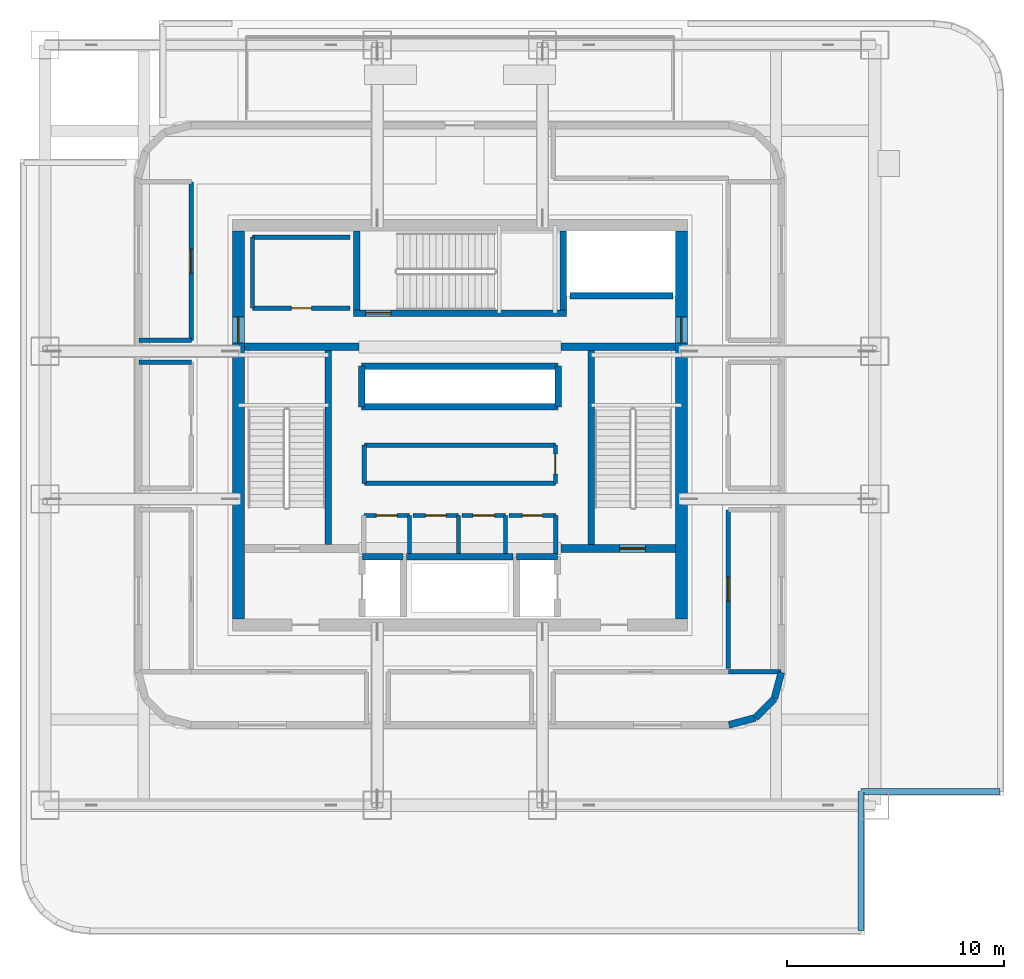
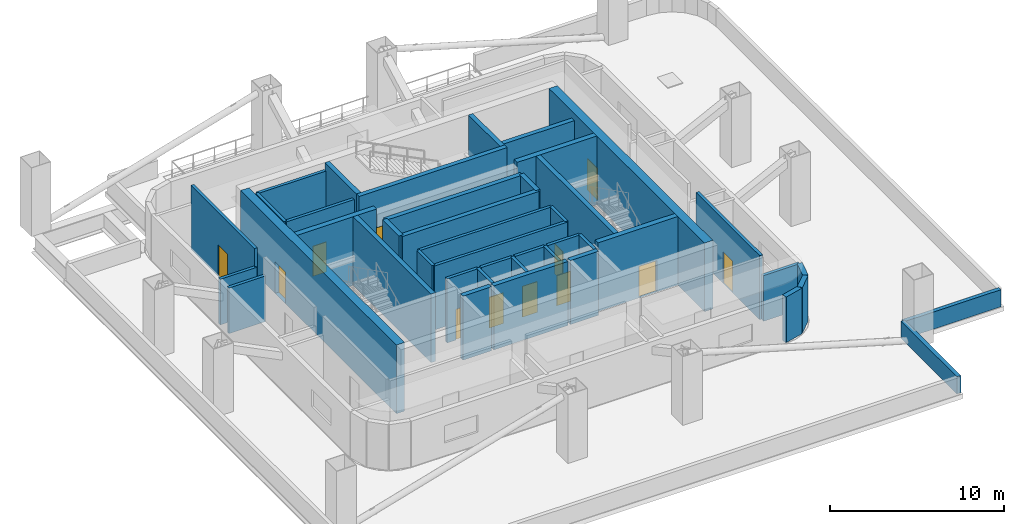
# One storey, part 6 of 11: 43 walls, 12 doors, 12 openings.
"""IFC4 building model written with IfcOpenShell, lengths in metres."""

from ifc_helpers import new_model, si_unit, direction, frame, frame_2d, origin, place, context, subcontext, project, spatial, rectangle, extrude, material, layer, layer_set, type_object, element, fill, save


model = new_model("IFC4")

# Units and contexts
model_context = context("Model", 3, precision=1e-05, world=origin(), true_north=direction((0.0, 1.0)))
body_context = subcontext(model_context, "Body", "Model", "MODEL_VIEW")
ifc_project = project(units=[si_unit("LENGTHUNIT", "METRE"), si_unit("AREAUNIT", "SQUARE_METRE"), si_unit("VOLUMEUNIT", "CUBIC_METRE"), si_unit("PLANEANGLEUNIT", "RADIAN"), si_unit("MASSUNIT", "GRAM", prefix="KILO")], contexts=[model_context])

# Site, building, storey
site_placement = place(None, origin())
site = spatial("IfcSite", under=ifc_project, at=site_placement, CompositionType="ELEMENT")
building_placement = place(site_placement, origin())
building = spatial("IfcBuilding", under=site, at=building_placement, Name="Punatoya Terracotta Tower", CompositionType="ELEMENT")
storey_placement = place(building_placement, frame((0.0, 0.0, 237.0)))
storey = spatial("IfcBuildingStorey", under=building, at=storey_placement, Name="L56", CompositionType="ELEMENT", Elevation=237.0)

# Wall, opening, door
ifc_material_1 = material(Name="Concrete C50/60", Category="concrete")
ifc_layer_1 = layer(ifc_material_1, 0.550048828125)
ifc_layer_set_1 = layer_set([ifc_layer_1], Name="Concrete C50/60")
wall_type_1 = type_object("IfcWallType", Name="WL-COR-550", PredefinedType="SHEAR", material=ifc_layer_set_1)
wall_1_placement = place(storey_placement, frame((-10.199951171875, -8.925048828125, 0.0), z_axis=(0.0, 0.0, 1.0), x_axis=(0.0, 1.0, 0.0)))
wall_1 = element("IfcWall", 1, at=wall_1_placement, inside=storey, type_object=wall_type_1, Name="L56 Core Shear Wall W", PredefinedType="SHEAR", context=body_context, shape_type="SweptSolid", body=[
    extrude(rectangle(XDim=17.85009765625, YDim=0.550048828125, at=frame_2d((8.925048828125, 0.0))), origin(), (0.0, 0.0, 1.0), 4.800048828125),
])
opening_1_placement = place(wall_1_placement, frame((12.715087890625, 0.0, 0.0)))
opening_1 = element("IfcOpeningElement", 2, at=opening_1_placement, cuts=wall_1, Name="Opening SD-01", PredefinedType="OPENING", context=body_context, shape_type="SweptSolid", body=[
    extrude(rectangle(XDim=1.179931640625, YDim=2.199951171875, at=frame_2d((0.58984375, 1.10009765625))), frame((0.0, 0.284912109375, 0.0), z_axis=(0.0, -1.0, 0.0), x_axis=(1.0, 0.0, 0.0)), (0.0, 0.0, 1.0), 0.570068359375),
])
ifc_material_2 = material(Name="Galvanised Steel Pressurized Stair Fire Door", Category="steel")
door_type_1 = type_object("IfcDoorType", Name="DR-STR-1180", OperationType="NOTDEFINED", PredefinedType="DOOR", material=ifc_material_2)
door_1_placement = place(opening_1_placement, origin())
door_1 = element("IfcDoor", 3, at=door_1_placement, inside=storey, type_object=door_type_1, Name="L56 Central Lift Lobby West Fire Door", OperationType="SINGLE_SWING_LEFT", OverallHeight=2.199951171875, OverallWidth=1.179931640625, PredefinedType="DOOR", context=body_context, shape_type="SweptSolid", body=[
    extrude(rectangle(XDim=1.179931640625, YDim=2.199951171875, at=frame_2d((0.58984375, 1.10009765625))), frame((0.0, 0.02490234375, 0.0), z_axis=(0.0, -1.0, 0.0), x_axis=(1.0, 0.0, 0.0)), (0.0, 0.0, 1.0), 0.050048828125),
])
fill(opening_1, door_1)

wall_2_placement = place(storey_placement, frame((10.199951171875, 8.925048828125, 0.0), z_axis=(0.0, 0.0, 1.0), x_axis=(0.0, -1.0, 0.0)))
wall_2 = element("IfcWall", 4, at=wall_2_placement, inside=storey, type_object=wall_type_1, Name="L56 Core Shear Wall E", PredefinedType="SHEAR", context=body_context, shape_type="SweptSolid", body=[
    extrude(rectangle(XDim=17.85009765625, YDim=0.550048828125, at=frame_2d((8.925048828125, 0.0))), origin(), (0.0, 0.0, 1.0), 4.800048828125),
])
opening_2_placement = place(wall_2_placement, frame((3.955078125, 0.0, 0.0)))
opening_2 = element("IfcOpeningElement", 5, at=opening_2_placement, cuts=wall_2, Name="Opening SD-01", PredefinedType="OPENING", context=body_context, shape_type="SweptSolid", body=[
    extrude(rectangle(XDim=1.179931640625, YDim=2.199951171875, at=frame_2d((0.58984375, 1.10009765625))), frame((0.0, 0.284912109375, 0.0), z_axis=(0.0, -1.0, 0.0), x_axis=(1.0, 0.0, 0.0)), (0.0, 0.0, 1.0), 0.570068359375),
])
door_2_placement = place(opening_2_placement, origin())
door_2 = element("IfcDoor", 6, at=door_2_placement, inside=storey, type_object=door_type_1, Name="L56 Central Lift Lobby East Fire Door", OperationType="SINGLE_SWING_RIGHT", OverallHeight=2.199951171875, OverallWidth=1.179931640625, PredefinedType="DOOR", context=body_context, shape_type="SweptSolid", body=[
    extrude(rectangle(XDim=1.179931640625, YDim=2.199951171875, at=frame_2d((0.58984375, 1.10009765625))), frame((0.0, 0.02490234375, 0.0), z_axis=(0.0, -1.0, 0.0), x_axis=(1.0, 0.0, 0.0)), (0.0, 0.0, 1.0), 0.050048828125),
])
fill(opening_2, door_2)

# Walls
ifc_material_3 = material(Name="Precast concrete C40/50", Category="concrete")
ifc_layer_2 = layer(ifc_material_3, 0.320068359375)
ifc_layer_set_2 = layer_set([ifc_layer_2], Name="Precast concrete C40/50")
wall_type_2 = type_object("IfcWallType", Name="WL-EXT-320", PredefinedType="SOLIDWALL", material=ifc_layer_set_2)
wall_3_placement = place(storey_placement, frame((12.386962890625, -13.800048828125, 0.0), z_axis=(0.0, 0.0, 1.0), x_axis=(0.966283375382, 0.25748094776, 0.0)))
element("IfcWall", 7, at=wall_3_placement, inside=storey, type_object=wall_type_2, Name="L56 Rounded Terracotta Corner Pier 02", PredefinedType="SOLIDWALL", context=body_context, shape_type="SweptSolid", body=[
    extrude(rectangle(XDim=1.25439453125, YDim=0.320068359375, at=frame_2d((0.627197265625, 0.0))), origin(), (0.0, 0.0, 1.0), 3.194091796875),
])
wall_4_placement = place(storey_placement, frame((13.59912109375, -13.47705078125, 0.0), z_axis=(0.0, 0.0, 1.0), x_axis=(0.707106781187, 0.707106781187, 0.0)))
element("IfcWall", 8, at=wall_4_placement, inside=storey, type_object=wall_type_2, Name="L56 Rounded Terracotta Corner Pier 03", PredefinedType="SOLIDWALL", context=body_context, shape_type="SweptSolid", body=[
    extrude(rectangle(XDim=1.24169921875, YDim=0.320068359375, at=frame_2d((0.620849609375, 0.0))), origin(), (0.0, 0.0, 1.0), 3.194091796875),
])
wall_5_placement = place(storey_placement, frame((14.47705078125, -12.59912109375, 0.0), z_axis=(0.0, 0.0, 1.0), x_axis=(0.25748094776, 0.966283375382, 0.0)))
element("IfcWall", 9, at=wall_5_placement, inside=storey, type_object=wall_type_2, Name="L56 Rounded Terracotta Corner Pier 04", PredefinedType="SOLIDWALL", context=body_context, shape_type="SweptSolid", body=[
    extrude(rectangle(XDim=1.25439453125, YDim=0.320068359375, at=frame_2d((0.627197265625, 0.0))), origin(), (0.0, 0.0, 1.0), 3.194091796875),
])
ifc_material_4 = material(Name="Concrete C40/50", Category="concrete")
ifc_layer_3 = layer(ifc_material_4, 0.199951171875)
ifc_layer_set_3 = layer_set([ifc_layer_3], Name="Concrete C40/50")
wall_type_3 = type_object("IfcWallType", Name="WL-INT-200", PredefinedType="SOLIDWALL", material=ifc_layer_set_3)
wall_6_placement = place(storey_placement, frame((-2.320068359375, -5.89990234375, 0.0), z_axis=(0.0, 0.0, 1.0), x_axis=(0.0, 1.0, 0.0)))
element("IfcWall", 10, at=wall_6_placement, inside=storey, type_object=wall_type_3, Name="L56 Staff Male Washroom Partition 01", PredefinedType="SOLIDWALL", context=body_context, shape_type="SweptSolid", body=[
    extrude(rectangle(XDim=1.739990234375, YDim=0.199951171875, at=frame_2d((0.8701171875, 0.0))), origin(), (0.0, 0.0, 1.0), 4.47998046875),
])

# Wall, opening, door
wall_7_placement = place(storey_placement, frame((-2.320068359375, -4.159912109375, 0.0), z_axis=(0.0, 0.0, 1.0), x_axis=(-1.0, 0.0, 0.0)))
wall_7 = element("IfcWall", 11, at=wall_7_placement, inside=storey, type_object=wall_type_3, Name="L56 Staff Male Washroom Partition 02", PredefinedType="SOLIDWALL", context=body_context, shape_type="SweptSolid", body=[
    extrude(rectangle(XDim=2.099853515625, YDim=0.199951171875, at=frame_2d((1.0498046875, 0.0))), origin(), (0.0, 0.0, 1.0), 4.47998046875),
])
opening_3_placement = place(wall_7_placement, frame((0.574951171875, 0.0, 0.0)))
opening_3 = element("IfcOpeningElement", 12, at=opening_3_placement, cuts=wall_7, Name="Opening WD-01", PredefinedType="OPENING", context=body_context, shape_type="SweptSolid", body=[
    extrude(rectangle(XDim=0.949951171875, YDim=2.14990234375, at=frame_2d((0.47509765625, 1.074951171875))), frame((0.0, 0.10986328125, 0.0), z_axis=(0.0, -1.0, 0.0), x_axis=(1.0, 0.0, 0.0)), (0.0, 0.0, 1.0), 0.219970703125),
])
ifc_material_5 = material(Name="Moisture-Resistant Laminate Timber Leaf", Category="wood")
door_type_2 = type_object("IfcDoorType", Name="DR-WC-950", OperationType="NOTDEFINED", PredefinedType="DOOR", material=ifc_material_5)
door_3_placement = place(opening_3_placement, origin())
door_3 = element("IfcDoor", 13, at=door_3_placement, inside=storey, type_object=door_type_2, Name="L56 Staff Male Washroom Door", OperationType="SINGLE_SWING_LEFT", OverallHeight=2.14990234375, OverallWidth=0.949951171875, PredefinedType="DOOR", context=body_context, shape_type="SweptSolid", body=[
    extrude(rectangle(XDim=0.949951171875, YDim=2.14990234375, at=frame_2d((0.47509765625, 1.074951171875))), frame((0.0, 0.02490234375, 0.0), z_axis=(0.0, -1.0, 0.0), x_axis=(1.0, 0.0, 0.0)), (0.0, 0.0, 1.0), 0.050048828125),
])
fill(opening_3, door_3)

# Wall
wall_8_placement = place(storey_placement, frame((-0.06005859375, -5.89990234375, 0.0), z_axis=(0.0, 0.0, 1.0), x_axis=(0.0, 1.0, 0.0)))
element("IfcWall", 14, at=wall_8_placement, inside=storey, type_object=wall_type_3, Name="L56 Staff Female Washroom Partition 04", PredefinedType="SOLIDWALL", context=body_context, shape_type="SweptSolid", body=[
    extrude(rectangle(XDim=1.739990234375, YDim=0.199951171875, at=frame_2d((0.8701171875, 0.0))), origin(), (0.0, 0.0, 1.0), 4.47998046875),
])

# Wall, opening, door
wall_9_placement = place(storey_placement, frame((-0.06005859375, -4.159912109375, 0.0), z_axis=(0.0, 0.0, 1.0), x_axis=(-1.0, 0.0, 0.0)))
wall_9 = element("IfcWall", 15, at=wall_9_placement, inside=storey, type_object=wall_type_3, Name="L56 Staff Female Washroom Partition 05", PredefinedType="SOLIDWALL", context=body_context, shape_type="SweptSolid", body=[
    extrude(rectangle(XDim=2.099853515625, YDim=0.199951171875, at=frame_2d((1.0498046875, 0.0))), origin(), (0.0, 0.0, 1.0), 4.47998046875),
])
opening_4_placement = place(wall_9_placement, frame((0.574951171875, 0.0, 0.0)))
opening_4 = element("IfcOpeningElement", 16, at=opening_4_placement, cuts=wall_9, Name="Opening WD-01", PredefinedType="OPENING", context=body_context, shape_type="SweptSolid", body=[
    extrude(rectangle(XDim=0.949951171875, YDim=2.14990234375, at=frame_2d((0.47509765625, 1.074951171875))), frame((0.0, 0.10986328125, 0.0), z_axis=(0.0, -1.0, 0.0), x_axis=(1.0, 0.0, 0.0)), (0.0, 0.0, 1.0), 0.219970703125),
])
door_4_placement = place(opening_4_placement, origin())
door_4 = element("IfcDoor", 17, at=door_4_placement, inside=storey, type_object=door_type_2, Name="L56 Staff Female Washroom Door", OperationType="SINGLE_SWING_RIGHT", OverallHeight=2.14990234375, OverallWidth=0.949951171875, PredefinedType="DOOR", context=body_context, shape_type="SweptSolid", body=[
    extrude(rectangle(XDim=0.949951171875, YDim=2.14990234375, at=frame_2d((0.47509765625, 1.074951171875))), frame((0.0, 0.02490234375, 0.0), z_axis=(0.0, -1.0, 0.0), x_axis=(1.0, 0.0, 0.0)), (0.0, 0.0, 1.0), 0.050048828125),
])
fill(opening_4, door_4)

# Wall
wall_10_placement = place(storey_placement, frame((2.10009765625, -5.89990234375, 0.0), z_axis=(0.0, 0.0, 1.0), x_axis=(0.0, 1.0, 0.0)))
element("IfcWall", 18, at=wall_10_placement, inside=storey, type_object=wall_type_3, Name="L56 Accessible Universal Washroom Partition 06", PredefinedType="SOLIDWALL", context=body_context, shape_type="SweptSolid", body=[
    extrude(rectangle(XDim=1.739990234375, YDim=0.199951171875, at=frame_2d((0.8701171875, 0.0))), origin(), (0.0, 0.0, 1.0), 4.47998046875),
])

# Wall, opening, door
wall_11_placement = place(storey_placement, frame((2.10009765625, -4.159912109375, 0.0), z_axis=(0.0, 0.0, 1.0), x_axis=(-1.0, 0.0, 0.0)))
wall_11 = element("IfcWall", 19, at=wall_11_placement, inside=storey, type_object=wall_type_3, Name="L56 Accessible Universal Washroom Partition 07", PredefinedType="SOLIDWALL", context=body_context, shape_type="SweptSolid", body=[
    extrude(rectangle(XDim=2.0, YDim=0.199951171875, at=frame_2d((1.0, 0.0))), origin(), (0.0, 0.0, 1.0), 4.47998046875),
])
opening_5_placement = place(wall_11_placement, frame((0.5, 0.0, 0.0)))
opening_5 = element("IfcOpeningElement", 20, at=opening_5_placement, cuts=wall_11, Name="Opening AWD-1", PredefinedType="OPENING", context=body_context, shape_type="SweptSolid", body=[
    extrude(rectangle(XDim=1.0, YDim=2.14990234375, at=frame_2d((0.5, 1.074951171875))), frame((0.0, 0.10986328125, 0.0), z_axis=(0.0, -1.0, 0.0), x_axis=(1.0, 0.0, 0.0)), (0.0, 0.0, 1.0), 0.219970703125),
])
ifc_material_6 = material(Name="Bengal Teak Accessible WC Leaf")
door_type_3 = type_object("IfcDoorType", Name="DR-ACC-1000", OperationType="NOTDEFINED", PredefinedType="DOOR", material=ifc_material_6)
door_5_placement = place(opening_5_placement, origin())
door_5 = element("IfcDoor", 21, at=door_5_placement, inside=storey, type_object=door_type_3, Name="L56 Accessible Universal Washroom Door", OperationType="SINGLE_SWING_LEFT", OverallHeight=2.14990234375, OverallWidth=1.0, PredefinedType="DOOR", context=body_context, shape_type="SweptSolid", body=[
    extrude(rectangle(XDim=1.0, YDim=2.14990234375, at=frame_2d((0.5, 1.074951171875))), frame((0.0, 0.02490234375, 0.0), z_axis=(0.0, -1.0, 0.0), x_axis=(1.0, 0.0, 0.0)), (0.0, 0.0, 1.0), 0.050048828125),
])
fill(opening_5, door_5)

# Wall
wall_12_placement = place(storey_placement, frame((4.419921875, -5.89990234375, 0.0), z_axis=(0.0, 0.0, 1.0), x_axis=(0.0, 1.0, 0.0)))
element("IfcWall", 22, at=wall_12_placement, inside=storey, type_object=wall_type_3, Name="L56 Core Electrical Switchgear Room Partition 08", PredefinedType="SOLIDWALL", context=body_context, shape_type="SweptSolid", body=[
    extrude(rectangle(XDim=1.739990234375, YDim=0.199951171875, at=frame_2d((0.8701171875, 0.0))), origin(), (0.0, 0.0, 1.0), 4.47998046875),
])

# Wall, opening, door
wall_13_placement = place(storey_placement, frame((4.419921875, -4.159912109375, 0.0), z_axis=(0.0, 0.0, 1.0), x_axis=(-1.0, 0.0, 0.0)))
wall_13 = element("IfcWall", 23, at=wall_13_placement, inside=storey, type_object=wall_type_3, Name="L56 Core Electrical Switchgear Room Partition 09", PredefinedType="SOLIDWALL", context=body_context, shape_type="SweptSolid", body=[
    extrude(rectangle(XDim=2.159912109375, YDim=0.199951171875, at=frame_2d((1.080078125, 0.0))), origin(), (0.0, 0.0, 1.0), 4.47998046875),
])
opening_6_placement = place(wall_13_placement, frame((0.6201171875, 0.0, 0.0)))
opening_6 = element("IfcOpeningElement", 24, at=opening_6_placement, cuts=wall_13, Name="Opening FD-R1", PredefinedType="OPENING", context=body_context, shape_type="SweptSolid", body=[
    extrude(rectangle(XDim=0.919921875, YDim=2.10009765625, at=frame_2d((0.4599609375, 1.050048828125))), frame((0.0, 0.10986328125, 0.0), z_axis=(0.0, -1.0, 0.0), x_axis=(1.0, 0.0, 0.0)), (0.0, 0.0, 1.0), 0.219970703125),
])
ifc_material_7 = material(Name="Galvanised Steel Riser Fire Access Door", Category="steel")
door_type_4 = type_object("IfcDoorType", Name="DR-RSR-920", OperationType="NOTDEFINED", PredefinedType="DOOR", material=ifc_material_7)
door_6_placement = place(opening_6_placement, origin())
door_6 = element("IfcDoor", 25, at=door_6_placement, inside=storey, type_object=door_type_4, Name="L56 Core Electrical Switchgear Room Fire Door", OperationType="SINGLE_SWING_RIGHT", OverallHeight=2.10009765625, OverallWidth=0.919921875, PredefinedType="DOOR", context=body_context, shape_type="SweptSolid", body=[
    extrude(rectangle(XDim=0.919921875, YDim=2.10009765625, at=frame_2d((0.4599609375, 1.050048828125))), frame((0.0, 0.02490234375, 0.0), z_axis=(0.0, -1.0, 0.0), x_axis=(1.0, 0.0, 0.0)), (0.0, 0.0, 1.0), 0.050048828125),
])
fill(opening_6, door_6)

wall_14_placement = place(storey_placement, frame((4.39990234375, -2.679931640625, 0.0), z_axis=(0.0, 0.0, 1.0), x_axis=(0.0, 1.0, 0.0)))
wall_14 = element("IfcWall", 26, at=wall_14_placement, inside=storey, type_object=wall_type_3, Name="L56 Zone Mechanical Riser Plant Partition 10", PredefinedType="SOLIDWALL", context=body_context, shape_type="SweptSolid", body=[
    extrude(rectangle(XDim=1.760009765625, YDim=0.199951171875, at=frame_2d((0.8798828125, 0.0))), origin(), (0.0, 0.0, 1.0), 4.47998046875),
])
opening_7_placement = place(wall_14_placement, frame((0.419921875, 0.0, 0.0)))
opening_7 = element("IfcOpeningElement", 27, at=opening_7_placement, cuts=wall_14, Name="Opening FD-R1", PredefinedType="OPENING", context=body_context, shape_type="SweptSolid", body=[
    extrude(rectangle(XDim=0.919921875, YDim=2.10009765625, at=frame_2d((0.4599609375, 1.050048828125))), frame((0.0, 0.10986328125, 0.0), z_axis=(0.0, -1.0, 0.0), x_axis=(1.0, 0.0, 0.0)), (0.0, 0.0, 1.0), 0.219970703125),
])
door_7_placement = place(opening_7_placement, origin())
door_7 = element("IfcDoor", 28, at=door_7_placement, inside=storey, type_object=door_type_4, Name="L56 Zone Mechanical Riser Plant Fire Door", OperationType="SINGLE_SWING_LEFT", OverallHeight=2.10009765625, OverallWidth=0.919921875, PredefinedType="DOOR", context=body_context, shape_type="SweptSolid", body=[
    extrude(rectangle(XDim=0.919921875, YDim=2.10009765625, at=frame_2d((0.4599609375, 1.050048828125))), frame((0.0, 0.02490234375, 0.0), z_axis=(0.0, -1.0, 0.0), x_axis=(1.0, 0.0, 0.0)), (0.0, 0.0, 1.0), 0.050048828125),
])
fill(opening_7, door_7)

# Walls
wall_15_placement = place(storey_placement, frame((4.39990234375, -0.919921875, 0.0), z_axis=(0.0, 0.0, 1.0), x_axis=(-1.0, 0.0, 0.0)))
element("IfcWall", 29, at=wall_15_placement, inside=storey, type_object=wall_type_3, Name="L56 Zone Mechanical Riser Plant Partition 11", PredefinedType="SOLIDWALL", context=body_context, shape_type="SweptSolid", body=[
    extrude(rectangle(XDim=8.7998046875, YDim=0.199951171875, at=frame_2d((4.39990234375, 0.0))), origin(), (0.0, 0.0, 1.0), 4.47998046875),
])
wall_16_placement = place(storey_placement, frame((-4.39990234375, -0.919921875, 0.0), z_axis=(0.0, 0.0, 1.0), x_axis=(0.0, -1.0, 0.0)))
element("IfcWall", 30, at=wall_16_placement, inside=storey, type_object=wall_type_3, Name="L56 Zone Mechanical Riser Plant Partition 12", PredefinedType="SOLIDWALL", context=body_context, shape_type="SweptSolid", body=[
    extrude(rectangle(XDim=1.760009765625, YDim=0.199951171875, at=frame_2d((0.8798828125, 0.0))), origin(), (0.0, 0.0, 1.0), 4.47998046875),
])
wall_17_placement = place(storey_placement, frame((-4.39990234375, -2.679931640625, 0.0), z_axis=(0.0, 0.0, 1.0), x_axis=(1.0, 0.0, 0.0)))
element("IfcWall", 31, at=wall_17_placement, inside=storey, type_object=wall_type_3, Name="L56 Zone Mechanical Riser Plant Partition 13", PredefinedType="SOLIDWALL", context=body_context, shape_type="SweptSolid", body=[
    extrude(rectangle(XDim=8.7998046875, YDim=0.199951171875, at=frame_2d((4.39990234375, 0.0))), origin(), (0.0, 0.0, 1.0), 4.47998046875),
])
wall_18_placement = place(storey_placement, frame((-5.050048828125, 8.64990234375, 0.0), z_axis=(0.0, 0.0, 1.0), x_axis=(-1.0, 0.0, 0.0)))
element("IfcWall", 32, at=wall_18_placement, inside=storey, type_object=wall_type_3, Name="L56 West Duct Riser Partition 14", PredefinedType="SOLIDWALL", context=body_context, shape_type="SweptSolid", body=[
    extrude(rectangle(XDim=4.5, YDim=0.199951171875, at=frame_2d((2.25, 0.0))), origin(), (0.0, 0.0, 1.0), 4.47998046875),
])
wall_19_placement = place(storey_placement, frame((-9.550048828125, 8.64990234375, 0.0), z_axis=(0.0, 0.0, 1.0), x_axis=(0.0, -1.0, 0.0)))
element("IfcWall", 33, at=wall_19_placement, inside=storey, type_object=wall_type_3, Name="L56 West Duct Riser Partition 15", PredefinedType="SOLIDWALL", context=body_context, shape_type="SweptSolid", body=[
    extrude(rectangle(XDim=3.27001953125, YDim=0.199951171875, at=frame_2d((1.635009765625, 0.0))), origin(), (0.0, 0.0, 1.0), 4.47998046875),
])

# Wall, opening, door
wall_20_placement = place(storey_placement, frame((-9.550048828125, 5.3798828125, 0.0), z_axis=(0.0, 0.0, 1.0), x_axis=(1.0, 0.0, 0.0)))
wall_20 = element("IfcWall", 34, at=wall_20_placement, inside=storey, type_object=wall_type_3, Name="L56 West Duct Riser Partition 16", PredefinedType="SOLIDWALL", context=body_context, shape_type="SweptSolid", body=[
    extrude(rectangle(XDim=4.5, YDim=0.199951171875, at=frame_2d((2.25, 0.0))), origin(), (0.0, 0.0, 1.0), 4.47998046875),
])
opening_8_placement = place(wall_20_placement, frame((1.7900390625, 0.0, 0.0)))
opening_8 = element("IfcOpeningElement", 35, at=opening_8_placement, cuts=wall_20, Name="Opening FD-R1", PredefinedType="OPENING", context=body_context, shape_type="SweptSolid", body=[
    extrude(rectangle(XDim=0.919921875, YDim=2.10009765625, at=frame_2d((0.4599609375, 1.050048828125))), frame((0.0, 0.10986328125, 0.0), z_axis=(0.0, -1.0, 0.0), x_axis=(1.0, 0.0, 0.0)), (0.0, 0.0, 1.0), 0.219970703125),
])
door_8_placement = place(opening_8_placement, origin())
door_8 = element("IfcDoor", 36, at=door_8_placement, inside=storey, type_object=door_type_4, Name="L56 West Duct Riser Fire Door", OperationType="SINGLE_SWING_RIGHT", OverallHeight=2.10009765625, OverallWidth=0.919921875, PredefinedType="DOOR", context=body_context, shape_type="SweptSolid", body=[
    extrude(rectangle(XDim=0.919921875, YDim=2.10009765625, at=frame_2d((0.4599609375, 1.050048828125))), frame((0.0, 0.02490234375, 0.0), z_axis=(0.0, -1.0, 0.0), x_axis=(1.0, 0.0, 0.0)), (0.0, 0.0, 1.0), 0.050048828125),
])
fill(opening_8, door_8)

# Walls
for number, where, z_axis, x_axis, name in (
    (37, (12.360107421875, -11.35009765625, 0.0), (0.0, 0.0, 1.0), (1.0, 0.0, 0.0), "L56 Designated Pressurized Refuge Area South (East Bay) Partition 23"),
    (38, (-14.780029296875, 2.89990234375, 0.0), (0.0, 0.0, 1.0), (1.0, 0.0, 0.0), "L56 West Outrigger Truss & Smoke-Extract Plant Room (Central Bay) Partition 30"),
    (39, (-12.360107421875, 3.89990234375, 0.0), (0.0, 0.0, 1.0), (-1.0, 0.0, 0.0), "L56 West Outrigger Truss & Smoke-Extract Plant Room (North Bay) Partition 31"),
):
    element("IfcWall", number, at=place(storey_placement, frame(where, z_axis=z_axis, x_axis=x_axis)), inside=storey, type_object=wall_type_3, Name=name, PredefinedType="SOLIDWALL", context=body_context, shape_type="SweptSolid", body=[
        extrude(rectangle(XDim=2.419921875, YDim=0.199951171875, at=frame_2d((1.2099609375, 0.0))), origin(), (0.0, 0.0, 1.0), 3.194091796875),
    ])

# Wall, opening, door
wall_21_placement = place(storey_placement, frame((-12.360107421875, 11.199951171875, 0.0), z_axis=(0.0, 0.0, 1.0), x_axis=(0.0, -1.0, 0.0)))
wall_21 = element("IfcWall", 40, at=wall_21_placement, inside=storey, type_object=wall_type_3, Name="L56 West Outrigger Truss & Smoke-Extract Plant Room (North Bay) Partition 33", PredefinedType="SOLIDWALL", context=body_context, shape_type="SweptSolid", body=[
    extrude(rectangle(XDim=7.300048828125, YDim=0.199951171875, at=frame_2d((3.64990234375, 0.0))), origin(), (0.0, 0.0, 1.0), 4.47998046875),
])
opening_9_placement = place(wall_21_placement, frame((3.10009765625, 0.0, 0.0)))
opening_9 = element("IfcOpeningElement", 41, at=opening_9_placement, cuts=wall_21, Name="Opening FD-P1", PredefinedType="OPENING", context=body_context, shape_type="SweptSolid", body=[
    extrude(rectangle(XDim=1.10009765625, YDim=2.199951171875, at=frame_2d((0.550048828125, 1.10009765625))), frame((0.0, 0.10986328125, 0.0), z_axis=(0.0, -1.0, 0.0), x_axis=(1.0, 0.0, 0.0)), (0.0, 0.0, 1.0), 0.219970703125),
])
ifc_material_8 = material(Name="Galvanised Steel Plant Fire Door", Category="steel")
door_type_5 = type_object("IfcDoorType", Name="DR-PLT-1100", OperationType="NOTDEFINED", PredefinedType="DOOR", material=ifc_material_8)
door_9_placement = place(opening_9_placement, origin())
door_9 = element("IfcDoor", 42, at=door_9_placement, inside=storey, type_object=door_type_5, Name="L56 West Outrigger Truss & Smoke-Extract Plant Room (North Bay) Fire Door", OperationType="SINGLE_SWING_RIGHT", OverallHeight=2.199951171875, OverallWidth=1.10009765625, PredefinedType="DOOR", context=body_context, shape_type="SweptSolid", body=[
    extrude(rectangle(XDim=1.10009765625, YDim=2.199951171875, at=frame_2d((0.550048828125, 1.10009765625))), frame((0.0, 0.02490234375, 0.0), z_axis=(0.0, -1.0, 0.0), x_axis=(1.0, 0.0, 0.0)), (0.0, 0.0, 1.0), 0.050048828125),
])
fill(opening_9, door_9)

wall_22_placement = place(storey_placement, frame((12.360107421875, -11.199951171875, 0.0), z_axis=(0.0, 0.0, 1.0), x_axis=(0.0, 1.0, 0.0)))
wall_22 = element("IfcWall", 43, at=wall_22_placement, inside=storey, type_object=wall_type_3, Name="L56 East Outrigger Truss & Heat-Exchanger Plant Room (South Bay) Partition 35", PredefinedType="SOLIDWALL", context=body_context, shape_type="SweptSolid", body=[
    extrude(rectangle(XDim=7.300048828125, YDim=0.199951171875, at=frame_2d((3.64990234375, 0.0))), origin(), (0.0, 0.0, 1.0), 4.47998046875),
])
opening_10_placement = place(wall_22_placement, frame((3.10009765625, 0.0, 0.0)))
opening_10 = element("IfcOpeningElement", 44, at=opening_10_placement, cuts=wall_22, Name="Opening FD-P1", PredefinedType="OPENING", context=body_context, shape_type="SweptSolid", body=[
    extrude(rectangle(XDim=1.10009765625, YDim=2.199951171875, at=frame_2d((0.550048828125, 1.10009765625))), frame((0.0, 0.10986328125, 0.0), z_axis=(0.0, -1.0, 0.0), x_axis=(1.0, 0.0, 0.0)), (0.0, 0.0, 1.0), 0.219970703125),
])
door_10_placement = place(opening_10_placement, origin())
door_10 = element("IfcDoor", 45, at=door_10_placement, inside=storey, type_object=door_type_5, Name="L56 East Outrigger Truss & Heat-Exchanger Plant Room (South Bay) Fire Door", OperationType="SINGLE_SWING_LEFT", OverallHeight=2.199951171875, OverallWidth=1.10009765625, PredefinedType="DOOR", context=body_context, shape_type="SweptSolid", body=[
    extrude(rectangle(XDim=1.10009765625, YDim=2.199951171875, at=frame_2d((0.550048828125, 1.10009765625))), frame((0.0, 0.02490234375, 0.0), z_axis=(0.0, -1.0, 0.0), x_axis=(1.0, 0.0, 0.0)), (0.0, 0.0, 1.0), 0.050048828125),
])
fill(opening_10, door_10)

# Walls
ifc_layer_4 = layer(ifc_material_3, 0.260009765625)
ifc_layer_set_4 = layer_set([ifc_layer_4], Name="Precast concrete C40/50")
wall_type_4 = type_object("IfcWallType", Name="WL-PAR-260", PredefinedType="PARAPET", material=ifc_layer_set_4)
wall_23_placement = place(storey_placement, frame((18.469970703125, -23.27001953125, 0.0), z_axis=(0.0, 0.0, 1.0), x_axis=(0.0, 1.0, 0.0)))
element("IfcWall", 46, at=wall_23_placement, inside=storey, type_object=wall_type_4, Name="L56 Roof Parapet Wall PAR-L56-RF-01", PredefinedType="PARAPET", context=body_context, shape_type="SweptSolid", body=[
    extrude(rectangle(XDim=6.39990234375, YDim=0.260009765625, at=frame_2d((3.199951171875, 0.0))), origin(), (0.0, 0.0, 1.0), 1.199951171875),
])
wall_24_placement = place(storey_placement, frame((18.469970703125, -16.8701171875, 0.0), z_axis=(0.0, 0.0, 1.0), x_axis=(1.0, 0.0, 0.0)))
element("IfcWall", 47, at=wall_24_placement, inside=storey, type_object=wall_type_4, Name="L56 Roof Parapet Wall PAR-L56-RF-02", PredefinedType="PARAPET", context=body_context, shape_type="SweptSolid", body=[
    extrude(rectangle(XDim=6.400146484375, YDim=0.260009765625, at=frame_2d((3.2001953125, 0.0))), origin(), (0.0, 0.0, 1.0), 1.199951171875),
])
ifc_layer_5 = layer(ifc_material_4, 0.300048828125)
ifc_layer_set_5 = layer_set([ifc_layer_5], Name="Concrete C40/50")
wall_type_5 = type_object("IfcWallType", Name="WL-SHF-300", PredefinedType="SOLIDWALL", material=ifc_layer_set_5)
for number, where, z_axis, x_axis, name in (
    (48, (-6.050048828125, -5.5, 0.0), (0.0, 0.0, 1.0), (0.0, 1.0, 0.0), "L56 Structural Stair Shaft Wall SW-ST1-E"),
    (49, (6.050048828125, 3.449951171875, 0.0), (0.0, 0.0, 1.0), (0.0, -1.0, 0.0), "L56 Structural Stair Shaft Wall SW-ST2-W"),
):
    element("IfcWall", number, at=place(storey_placement, frame(where, z_axis=z_axis, x_axis=x_axis)), inside=storey, type_object=wall_type_5, Name=name, PredefinedType="SOLIDWALL", context=body_context, shape_type="SweptSolid", body=[
        extrude(rectangle(XDim=8.949951171875, YDim=0.300048828125, at=frame_2d((4.47509765625, 0.0))), origin(), (0.0, 0.0, 1.0), 4.800048828125),
    ])
for number, where, z_axis, x_axis, name in (
    (50, (-4.75, 5.300048828125, 0.0), (0.0, 0.0, 1.0), (0.0, 1.0, 0.0), "L56 Structural Stair Shaft Wall SW-ST3-W"),
    (51, (4.75, 8.925048828125, 0.0), (0.0, 0.0, 1.0), (0.0, -1.0, 0.0), "L56 Structural Stair Shaft Wall SW-ST3-E"),
):
    element("IfcWall", number, at=place(storey_placement, frame(where, z_axis=z_axis, x_axis=x_axis)), inside=storey, type_object=wall_type_5, Name=name, PredefinedType="SOLIDWALL", context=body_context, shape_type="SweptSolid", body=[
        extrude(rectangle(XDim=3.625, YDim=0.300048828125, at=frame_2d((1.8125, 0.0))), origin(), (0.0, 0.0, 1.0), 4.800048828125),
    ])

# Wall, opening, door
wall_25_placement = place(storey_placement, frame((-4.89990234375, 5.14990234375, 0.0), z_axis=(0.0, 0.0, 1.0), x_axis=(1.0, 0.0, 0.0)))
wall_25 = element("IfcWall", 52, at=wall_25_placement, inside=storey, type_object=wall_type_5, Name="L56 Structural Stair Shaft Wall SW-ST3-S", PredefinedType="SOLIDWALL", context=body_context, shape_type="SweptSolid", body=[
    extrude(rectangle(XDim=9.7998046875, YDim=0.300048828125, at=frame_2d((4.89990234375, 0.0))), origin(), (0.0, 0.0, 1.0), 4.800048828125),
])
opening_11_placement = place(wall_25_placement, frame((0.56005859375, 0.0, 0.0)))
opening_11 = element("IfcOpeningElement", 53, at=opening_11_placement, cuts=wall_25, Name="Opening SD-01", PredefinedType="OPENING", context=body_context, shape_type="SweptSolid", body=[
    extrude(rectangle(XDim=1.179931640625, YDim=2.199951171875, at=frame_2d((0.58984375, 1.10009765625))), frame((0.0, 0.159912109375, 0.0), z_axis=(0.0, -1.0, 0.0), x_axis=(1.0, 0.0, 0.0)), (0.0, 0.0, 1.0), 0.320068359375),
])
door_11_placement = place(opening_11_placement, origin())
door_11 = element("IfcDoor", 54, at=door_11_placement, inside=storey, type_object=door_type_1, Name="L56 Stair ST-3 Core Lobby Fire Door", OperationType="SINGLE_SWING_LEFT", OverallHeight=2.199951171875, OverallWidth=1.179931640625, PredefinedType="DOOR", context=body_context, shape_type="SweptSolid", body=[
    extrude(rectangle(XDim=1.179931640625, YDim=2.199951171875, at=frame_2d((0.58984375, 1.10009765625))), frame((0.0, 0.02490234375, 0.0), z_axis=(0.0, -1.0, 0.0), x_axis=(1.0, 0.0, 0.0)), (0.0, 0.0, 1.0), 0.050048828125),
])
fill(opening_11, door_11)

# Walls
for number, where, z_axis, x_axis, name in (
    (55, (-4.489990234375, -6.050048828125, 0.0), (0.0, 0.0, 1.0), (1.0, 0.0, 0.0), "L56 FFL-1 North Hoistway Wall"),
    (56, (2.610107421875, -6.050048828125, 0.0), (0.0, 0.0, 1.0), (1.0, 0.0, 0.0), "L56 FFL-2 North Hoistway Wall"),
):
    element("IfcWall", number, at=place(storey_placement, frame(where, z_axis=z_axis, x_axis=x_axis)), inside=storey, type_object=wall_type_5, Name=name, PredefinedType="SOLIDWALL", context=body_context, shape_type="SweptSolid", body=[
        extrude(rectangle(XDim=1.8798828125, YDim=0.300048828125, at=frame_2d((0.93994140625, 0.0))), origin(), (0.0, 0.0, 1.0), 4.47998046875),
    ])
for number, where, z_axis, x_axis, name in (
    (57, (-4.52001953125, 0.840087890625, 0.0), (0.0, 0.0, 1.0), (1.0, 0.0, 0.0), "L56 North Lift Bank Front Shaft Wall"),
    (58, (-4.52001953125, 2.719970703125, 0.0), (0.0, 0.0, 1.0), (1.0, 0.0, 0.0), "L56 North Lift Bank Rear Shaft Wall"),
):
    element("IfcWall", number, at=place(storey_placement, frame(where, z_axis=z_axis, x_axis=x_axis)), inside=storey, type_object=wall_type_5, Name=name, PredefinedType="SOLIDWALL", context=body_context, shape_type="SweptSolid", body=[
        extrude(rectangle(XDim=9.0400390625, YDim=0.300048828125, at=frame_2d((4.52001953125, 0.0))), origin(), (0.0, 0.0, 1.0), 4.47998046875),
    ])
for number, where, z_axis, x_axis, name in (
    (59, (-4.52001953125, 0.840087890625, 0.0), (0.0, 0.0, 1.0), (0.0, 1.0, 0.0), "L56 North Lift Bank West End Wall"),
    (60, (4.52001953125, 0.840087890625, 0.0), (0.0, 0.0, 1.0), (0.0, 1.0, 0.0), "L56 North Lift Bank East End Wall"),
):
    element("IfcWall", number, at=place(storey_placement, frame(where, z_axis=z_axis, x_axis=x_axis)), inside=storey, type_object=wall_type_5, Name=name, PredefinedType="SOLIDWALL", context=body_context, shape_type="SweptSolid", body=[
        extrude(rectangle(XDim=1.8798828125, YDim=0.300048828125, at=frame_2d((0.93994140625, 0.0))), origin(), (0.0, 0.0, 1.0), 4.47998046875),
    ])
wall_26_placement = place(storey_placement, frame((5.06005859375, 5.949951171875, 0.0), z_axis=(0.0, 0.0, 1.0), x_axis=(1.0, 0.0, 0.0)))
element("IfcWall", 61, at=wall_26_placement, inside=storey, type_object=wall_type_5, Name="L56 Shuttle SL-2 South Hoistway Wall", PredefinedType="SOLIDWALL", context=body_context, shape_type="SweptSolid", body=[
    extrude(rectangle(XDim=4.760009765625, YDim=0.300048828125, at=frame_2d((2.3798828125, 0.0))), origin(), (0.0, 0.0, 1.0), 4.47998046875),
])
wall_27_placement = place(storey_placement, frame((-2.449951171875, -6.050048828125, 0.0), z_axis=(0.0, 0.0, 1.0), x_axis=(1.0, 0.0, 0.0)))
element("IfcWall", 62, at=wall_27_placement, inside=storey, type_object=wall_type_5, Name="L56 Observation Shuttle Rear Hoistway Wall", PredefinedType="SOLIDWALL", context=body_context, shape_type="SweptSolid", body=[
    extrude(rectangle(XDim=4.89990234375, YDim=0.300048828125, at=frame_2d((2.449951171875, 0.0))), origin(), (0.0, 0.0, 1.0), 4.47998046875),
])

# Wall, opening, door
ifc_layer_6 = layer(ifc_material_1, 0.35009765625)
ifc_layer_set_6 = layer_set([ifc_layer_6], Name="Concrete C50/60")
wall_type_6 = type_object("IfcWallType", Name="WL-SHF-350", PredefinedType="SOLIDWALL", material=ifc_layer_set_6)
wall_28_placement = place(storey_placement, frame((4.64990234375, -5.679931640625, 0.0), z_axis=(0.0, 0.0, 1.0), x_axis=(1.0, 0.0, 0.0)))
wall_28 = element("IfcWall", 63, at=wall_28_placement, inside=storey, type_object=wall_type_6, Name="L56 Core Web Wall CSW-R", PredefinedType="SOLIDWALL", context=body_context, shape_type="SweptSolid", body=[
    extrude(rectangle(XDim=5.275146484375, YDim=0.35009765625, at=frame_2d((2.6376953125, 0.0))), origin(), (0.0, 0.0, 1.0), 4.800048828125),
])
opening_12_placement = place(wall_28_placement, frame((2.7099609375, 0.0, 0.0)))
opening_12 = element("IfcOpeningElement", 64, at=opening_12_placement, cuts=wall_28, Name="Opening SD-01", PredefinedType="OPENING", context=body_context, shape_type="SweptSolid", body=[
    extrude(rectangle(XDim=1.179931640625, YDim=2.199951171875, at=frame_2d((0.58984375, 1.10009765625))), frame((0.0, 0.18505859375, 0.0), z_axis=(0.0, -1.0, 0.0), x_axis=(1.0, 0.0, 0.0)), (0.0, 0.0, 1.0), 0.3701171875),
])
door_12_placement = place(opening_12_placement, origin())
door_12 = element("IfcDoor", 65, at=door_12_placement, inside=storey, type_object=door_type_1, Name="L56 Stair ST-2 Smokeproof Lobby Fire Door", OperationType="SINGLE_SWING_RIGHT", OverallHeight=2.199951171875, OverallWidth=1.179931640625, PredefinedType="DOOR", context=body_context, shape_type="SweptSolid", body=[
    extrude(rectangle(XDim=1.179931640625, YDim=2.199951171875, at=frame_2d((0.58984375, 1.10009765625))), frame((0.0, 0.02490234375, 0.0), z_axis=(0.0, -1.0, 0.0), x_axis=(1.0, 0.0, 0.0)), (0.0, 0.0, 1.0), 0.050048828125),
])
fill(opening_12, door_12)

# Walls
for number, where, z_axis, x_axis, name in (
    (66, (-9.925048828125, 3.60009765625, 0.0), (0.0, 0.0, 1.0), (1.0, 0.0, 0.0), "L56 Core Web Wall CNW-L"),
    (67, (4.64990234375, 3.60009765625, 0.0), (0.0, 0.0, 1.0), (1.0, 0.0, 0.0), "L56 Core Web Wall CNW-R"),
):
    element("IfcWall", number, at=place(storey_placement, frame(where, z_axis=z_axis, x_axis=x_axis)), inside=storey, type_object=wall_type_6, Name=name, PredefinedType="SOLIDWALL", context=body_context, shape_type="SweptSolid", body=[
        extrude(rectangle(XDim=5.275146484375, YDim=0.35009765625, at=frame_2d((2.6376953125, 0.0))), origin(), (0.0, 0.0, 1.0), 4.800048828125),
    ])

save(model, "model.ifc")
